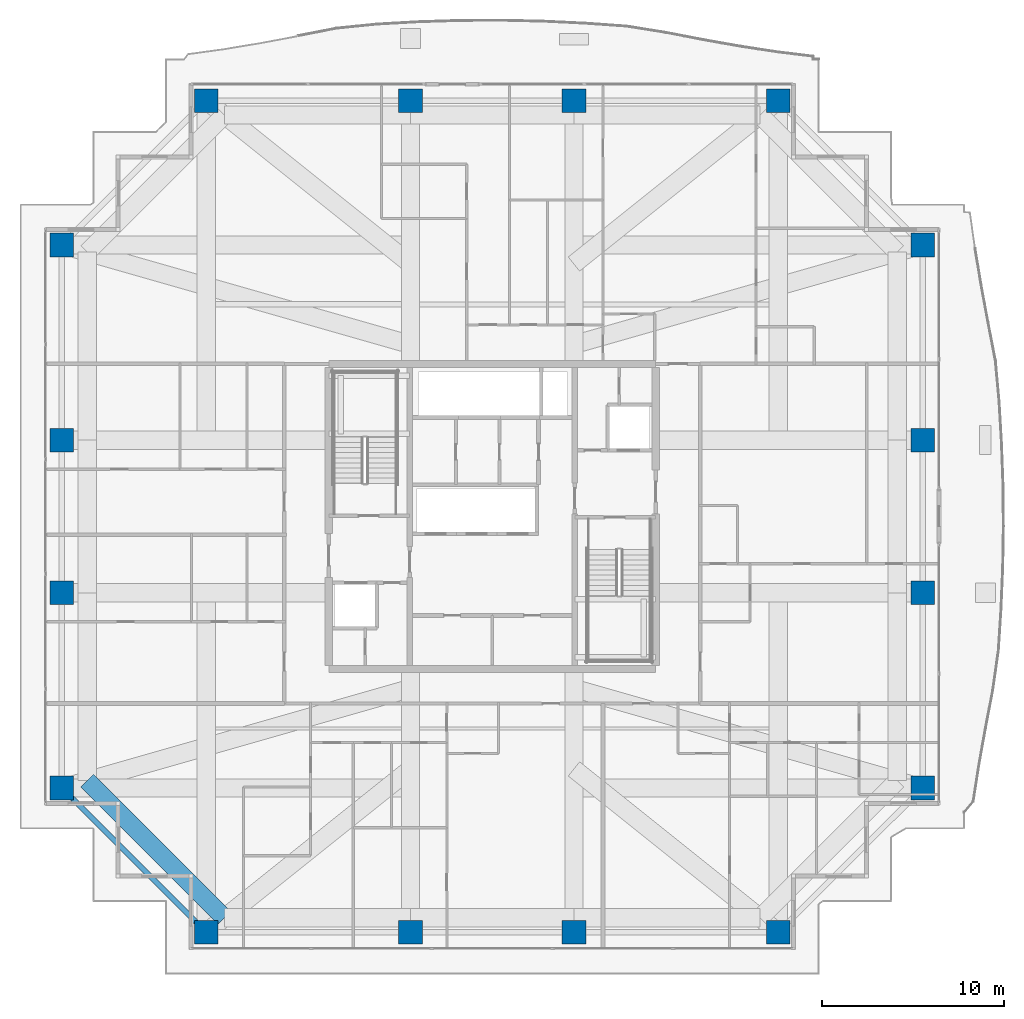
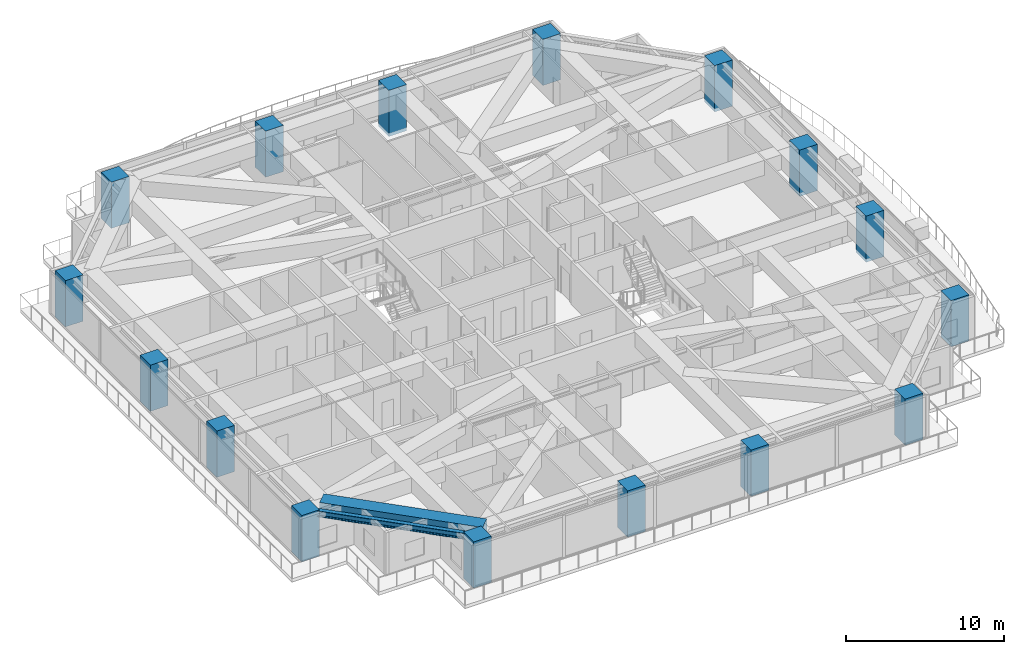
# One storey, part 1 of 32: 16 columns, 2 beams.
"""IFC4 building model written with IfcOpenShell, lengths in metres."""

from ifc_helpers import new_model, si_unit, direction, frame, origin, origin_2d, place, context, subcontext, project, spatial, rectangle, i_section, extrude, source, transform, mapped, material, material_profile, profile_set, type_object, element, save


model = new_model("IFC4")

# Units and contexts
model_context = context("Model", 3, precision=1e-05, world=origin(), true_north=direction((0.0, 1.0)))
body_context = subcontext(model_context, "Body", "Model", "MODEL_VIEW")
ifc_project = project(units=[si_unit("LENGTHUNIT", "METRE"), si_unit("AREAUNIT", "SQUARE_METRE"), si_unit("VOLUMEUNIT", "CUBIC_METRE"), si_unit("PLANEANGLEUNIT", "RADIAN"), si_unit("MASSUNIT", "GRAM", prefix="KILO")], contexts=[model_context])

# Site, building, storey
site_placement = place(None, origin())
site = spatial("IfcSite", under=ifc_project, at=site_placement, CompositionType="ELEMENT")
building_placement = place(site_placement, origin())
building = spatial("IfcBuilding", under=site, at=building_placement, Name="Serunith Strait Residences", CompositionType="ELEMENT")
storey_placement = place(building_placement, frame((0.0, 0.0, 195.14990234375)))
storey = spatial("IfcBuildingStorey", under=building, at=storey_placement, Name="L49", CompositionType="ELEMENT", Elevation=195.14990234375)

# Columns
ifc_material_1 = material(Name="Concrete C80/95", Category="concrete")
ifc_material_profile_1 = material_profile(ifc_material_1, rectangle(XDim=1.300048828125, YDim=1.300048828125, at=origin_2d()), Name="RC 1300x1300")
ifc_profile_set_1 = profile_set([ifc_material_profile_1], Name="Concrete C80/95")
column_type = type_object("IfcColumnType", Name="COL-RC-1300", PredefinedType="COLUMN", material=ifc_profile_set_1)
shared_shape_1 = source(origin(), body_context, "Body", "SweptSolid", [
    extrude(rectangle(XDim=1.300048828125, YDim=1.300048828125, at=origin_2d()), origin(), (0.0, 0.0, 1.0), 3.570068359375),
])
for number, where, z_axis, x_axis, name in (
    (1, (16.64990234375, 2.300048828125, -0.260009765625), (0.0, 0.0, 1.0), (1.0, 0.0, 0.0), "L49 Tower Mega-Column TC-S1"),
    (2, (27.89990234375, 2.300048828125, -0.260009765625), (0.0, 0.0, 1.0), (1.0, 0.0, 0.0), "L49 Tower Mega-Column TC-S2"),
    (3, (36.89990234375, 2.300048828125, -0.260009765625), (0.0, 0.0, 1.0), (1.0, 0.0, 0.0), "L49 Tower Mega-Column TC-S3"),
    (4, (48.14990234375, 2.300048828125, -0.260009765625), (0.0, 0.0, 1.0), (1.0, 0.0, 0.0), "L49 Tower Mega-Column TC-S4"),
    (5, (16.64990234375, 48.10009765625, -0.260009765625), (0.0, 0.0, 1.0), (1.0, 0.0, 0.0), "L49 Tower Mega-Column TC-N1"),
    (6, (27.89990234375, 48.10009765625, -0.260009765625), (0.0, 0.0, 1.0), (1.0, 0.0, 0.0), "L49 Tower Mega-Column TC-N2"),
    (7, (36.89990234375, 48.10009765625, -0.260009765625), (0.0, 0.0, 1.0), (1.0, 0.0, 0.0), "L49 Tower Mega-Column TC-N3"),
    (8, (48.14990234375, 48.10009765625, -0.260009765625), (0.0, 0.0, 1.0), (1.0, 0.0, 0.0), "L49 Tower Mega-Column TC-N4"),
    (9, (56.10009765625, 10.25, -0.260009765625), (0.0, 0.0, 1.0), (1.0, 0.0, 0.0), "L49 Tower Mega-Column TC-E1"),
    (10, (56.10009765625, 21.0, -0.260009765625), (0.0, 0.0, 1.0), (1.0, 0.0, 0.0), "L49 Tower Mega-Column TC-E2"),
    (11, (56.10009765625, 29.39990234375, -0.260009765625), (0.0, 0.0, 1.0), (1.0, 0.0, 0.0), "L49 Tower Mega-Column TC-E3"),
    (12, (56.10009765625, 40.14990234375, -0.260009765625), (0.0, 0.0, 1.0), (1.0, 0.0, 0.0), "L49 Tower Mega-Column TC-E4"),
    (13, (8.699951171875, 10.25, -0.260009765625), (0.0, 0.0, 1.0), (1.0, 0.0, 0.0), "L49 Tower Mega-Column TC-W1"),
    (14, (8.699951171875, 21.0, -0.260009765625), (0.0, 0.0, 1.0), (1.0, 0.0, 0.0), "L49 Tower Mega-Column TC-W2"),
    (15, (8.699951171875, 29.39990234375, -0.260009765625), (0.0, 0.0, 1.0), (1.0, 0.0, 0.0), "L49 Tower Mega-Column TC-W3"),
    (16, (8.699951171875, 40.14990234375, -0.260009765625), (0.0, 0.0, 1.0), (1.0, 0.0, 0.0), "L49 Tower Mega-Column TC-W4"),
):
    element("IfcColumn", number, at=place(storey_placement, frame(where, z_axis=z_axis, x_axis=x_axis)), inside=storey, type_object=column_type, Name=name, PredefinedType="COLUMN", context=body_context, shape_type="MappedRepresentation", body=[
        mapped(shared_shape_1, transform((0.0, 0.0, 0.0), scale=1.0)),
    ])

# Beams
ifc_material_2 = material(Name="Steel S355J2", Category="steel")
ifc_material_profile_2 = material_profile(ifc_material_2, i_section(OverallWidth=0.300048828125, OverallDepth=0.449951171875, WebThickness=0.013916015625, FlangeThickness=0.02587890625, FilletRadius=0.027099609375, at=origin_2d()), Name="HEB 450")
ifc_profile_set_2 = profile_set([ifc_material_profile_2], Name="Steel S355J2")
beam_type_1 = type_object("IfcBeamType", Name="BM-HEB450", PredefinedType="BEAM", material=ifc_profile_set_2)
shared_shape_2 = source(origin(), body_context, "Body", "SweptSolid", [
    extrude(i_section(OverallWidth=0.300048828125, OverallDepth=0.449951171875, WebThickness=0.013916015625, FlangeThickness=0.02587890625, FilletRadius=0.027099609375, at=origin_2d()), origin(), (0.0, 0.0, 1.0), 11.242919921875),
])
beam_1_placement = place(storey_placement, frame((8.699951171875, 10.25, 3.08203125), z_axis=(0.707106781187, -0.707106781187, 0.0), x_axis=(0.707106781187, 0.707106781187, 0.0)))
element("IfcBeam", 17, at=beam_1_placement, inside=storey, type_object=beam_type_1, Name="L49 Perimeter Ring Beam 16", PredefinedType="BEAM", context=body_context, shape_type="MappedRepresentation", body=[
    mapped(shared_shape_2, transform((0.0, 0.0, 0.0), scale=1.0)),
])
ifc_material_profile_3 = material_profile(ifc_material_1, rectangle(XDim=1.0, YDim=1.14990234375, at=origin_2d()), Name="RC 1000x1150")
ifc_profile_set_3 = profile_set([ifc_material_profile_3], Name="Concrete C80/95")
beam_type_2 = type_object("IfcBeamType", Name="BM-XFER-1000x1150", PredefinedType="BEAM", material=ifc_profile_set_3)
shared_shape_3 = source(origin(), body_context, "Body", "SweptSolid", [
    extrude(rectangle(XDim=1.0, YDim=1.14990234375, at=origin_2d()), origin(), (0.0, 0.0, 1.0), 10.677001953125),
])
beam_2_placement = place(storey_placement, frame((10.10009765625, 10.64990234375, 2.735107421875), z_axis=(0.707106781187, -0.707106781187, 0.0), x_axis=(0.707106781187, 0.707106781187, 0.0)))
element("IfcBeam", 18, at=beam_2_placement, inside=storey, type_object=beam_type_2, Name="L49 Flare Upper Ring Transfer Girder 16", PredefinedType="BEAM", context=body_context, shape_type="MappedRepresentation", body=[
    mapped(shared_shape_3, transform((0.0, 0.0, 0.0), scale=1.0)),
])

save(model, "model.ifc")
